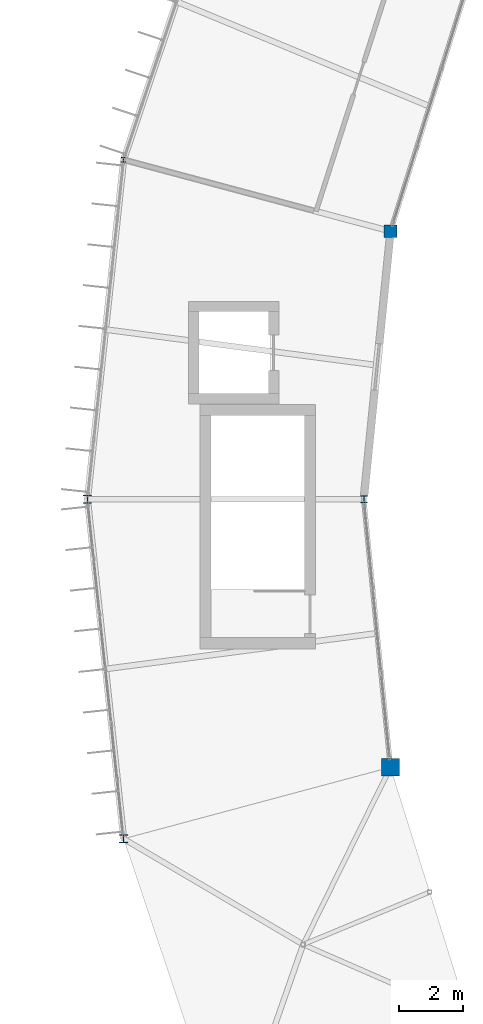
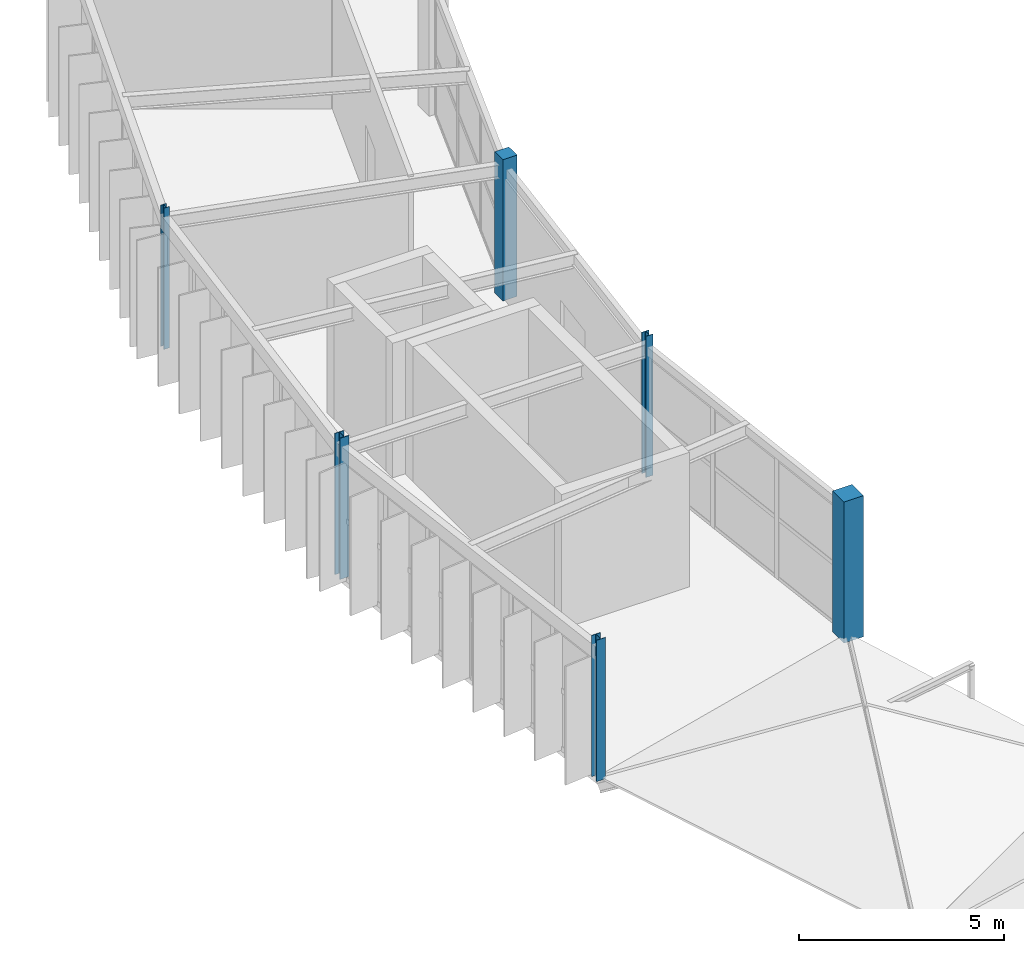
# One storey, part 2 of 106: 6 columns.
"""IFC4 building model written with IfcOpenShell, lengths in metres."""

import ifcopenshell
import ifcopenshell.guid

model = None  # the IFC model being written
_history = None  # IfcOwnerHistory: only IFC2X3 demands one
_inside = {}  # id of a spatial element -> (the spatial element, [elements in it])
_under = {}  # id of a project, library or spatial element -> (it, [spatial elements below it])
_declared = {}  # id of a project -> (the project, [libraries it declares])
_typed = {}  # id of a type object -> (the type object, [elements of that type])
_made_of = {}  # id of a material, layer set ... -> (it, [elements and type objects made of it])


def new_model(schema):
    """Start an empty IFC model of exactly this schema.

    Asked for "IFC4X3", IfcOpenShell would pick the latest addendum, in which some entities
    have other attributes; the version numbers below select the first issue.
    IFC2X3 requires an IfcOwnerHistory on every rooted entity: one is made here for all.
    """
    global model, _history
    if schema == "IFC4X3":
        model = ifcopenshell.file(schema_version=(4, 3, 0, 0))
    else:
        model = ifcopenshell.file(schema=schema)
    _inside.clear()
    _under.clear()
    _declared.clear()
    _typed.clear()
    _made_of.clear()
    _history = None
    if model.schema == "IFC2X3":
        org = make("IfcOrganization", Name="unknown")
        user = make(
            "IfcPersonAndOrganization",
            ThePerson=make("IfcPerson", FamilyName="unknown"),
            TheOrganization=org,
        )
        app = make(
            "IfcApplication",
            ApplicationDeveloper=org,
            Version="unknown",
            ApplicationFullName="unknown",
            ApplicationIdentifier="unknown",
        )
        _history = make(
            "IfcOwnerHistory",
            OwningUser=user,
            OwningApplication=app,
            ChangeAction="ADDED",
            CreationDate=0,
        )
    return model


def make(cls, **values):
    """One entity of the class cls with the attributes given. An attribute that is None is left unset."""
    return model.create_entity(
        cls, **{name: value for name, value in values.items() if value is not None}
    )


def rooted(cls, **values):
    """An entity with a GlobalId (a new one), such as an element, a storey or a relation."""
    return make(cls, GlobalId=ifcopenshell.guid.new(), OwnerHistory=_history, **values)


def si_unit(unit_type, name, prefix=None):
    """IfcSIUnit, for example si_unit("LENGTHUNIT", "METRE", prefix="MILLI")."""
    return make("IfcSIUnit", UnitType=unit_type, Prefix=prefix, Name=name)


def assignment(units):
    """IfcUnitAssignment: the units of a project."""
    return None if units is None else make("IfcUnitAssignment", Units=units)


def point(xyz):
    """IfcCartesianPoint."""
    return None if xyz is None else make("IfcCartesianPoint", Coordinates=xyz)


def direction(xyz):
    """IfcDirection."""
    return None if xyz is None else make("IfcDirection", DirectionRatios=xyz)


def frame(location, z_axis=None, x_axis=None):
    """IfcAxis2Placement3D, a coordinate frame: its origin and axes. An axis left out is left unset."""
    return make(
        "IfcAxis2Placement3D",
        Location=point(location),
        Axis=direction(z_axis),
        RefDirection=direction(x_axis),
    )


def frame_2d(location, x_axis=None):
    """IfcAxis2Placement2D, a coordinate frame in the plane: its origin and x axis."""
    return make(
        "IfcAxis2Placement2D", Location=point(location), RefDirection=direction(x_axis)
    )


def origin():
    """The frame at (0, 0, 0) with its axes left unset."""
    return frame((0.0, 0.0, 0.0))


def origin_2d():
    """The frame at (0, 0) in the plane with its x axis left unset."""
    return frame_2d((0.0, 0.0))


def place(relative_to, where):
    """IfcLocalPlacement: puts the frame where relative to a parent placement (None: the world)."""
    return make(
        "IfcLocalPlacement", PlacementRelTo=relative_to, RelativePlacement=where
    )


def context(
    kind, dimensions, precision=None, world=None, true_north=None, identifier=None
):
    """IfcGeometricRepresentationContext, for example the 3D "Model" context."""
    return make(
        "IfcGeometricRepresentationContext",
        ContextIdentifier=identifier,
        ContextType=kind,
        CoordinateSpaceDimension=dimensions,
        Precision=precision,
        WorldCoordinateSystem=world,
        TrueNorth=true_north,
    )


def subcontext(parent, identifier, kind, view, scale=None):
    """IfcGeometricRepresentationSubContext, for example "Body" below "Model"."""
    return make(
        "IfcGeometricRepresentationSubContext",
        ContextIdentifier=identifier,
        ContextType=kind,
        ParentContext=parent,
        TargetScale=scale,
        TargetView=view,
    )


def project(units=None, contexts=None):
    """IfcProject with its units and contexts."""
    return rooted(
        "IfcProject",
        Name="project",
        RepresentationContexts=contexts,
        UnitsInContext=assignment(units),
    )


def spatial(cls, under=None, at=None, **own):
    """A site, building, storey or space (cls), placed at a placement, below another one or the project."""
    s = rooted(cls, ObjectPlacement=at, **own)
    if under is not None:
        _under.setdefault(under.id(), (under, []))[1].append(s)
    return s


def profile(cls, at=None, kind="AREA", **sizes):
    """A parametric profile (cls). Its sizes go by their IFC names, for example OverallWidth=200.0."""
    return make(cls, ProfileType=kind, Position=at, **sizes)


def rectangle(**sizes):
    """IfcRectangleProfileDef."""
    return profile("IfcRectangleProfileDef", **sizes)


def i_section(**sizes):
    """IfcIShapeProfileDef."""
    return profile("IfcIShapeProfileDef", **sizes)


def extrude(swept, where, along, depth):
    """IfcExtrudedAreaSolid: the profile swept, set in the frame where, extruded along a direction by depth."""
    return make(
        "IfcExtrudedAreaSolid",
        SweptArea=swept,
        Position=where,
        ExtrudedDirection=direction(along),
        Depth=depth,
    )


def shape(context_of_items, identifier, shape_type, items):
    """IfcShapeRepresentation: the items that make up one representation, for example the "Body"."""
    return make(
        "IfcShapeRepresentation",
        ContextOfItems=context_of_items,
        RepresentationIdentifier=identifier,
        RepresentationType=shape_type,
        Items=items,
    )


def material(Name=None, Category=None):
    """IfcMaterial."""
    return make("IfcMaterial", Name=Name, Category=Category)


def material_profile(
    of_material, cross_section, Name=None, Category=None, Priority=None
):
    """IfcMaterialProfile: a cross section and its material."""
    return make(
        "IfcMaterialProfile",
        Name=Name,
        Material=of_material,
        Profile=cross_section,
        Priority=Priority,
        Category=Category,
    )


def profile_set(profiles, Name=None, composite=None):
    """IfcMaterialProfileSet."""
    return make(
        "IfcMaterialProfileSet",
        Name=Name,
        MaterialProfiles=profiles,
        CompositeProfile=composite,
    )


def made_of(thing, what):
    """Note that an element or type object is made of a material, layer set ...; save() writes the relation."""
    if what is not None:
        _made_of.setdefault(what.id(), (what, []))[1].append(thing)
    return thing


def type_object(cls, material=None, **own):
    """A type object (cls), such as IfcWallType, which elements share."""
    return made_of(rooted(cls, **own), material)


def element(
    cls,
    number,
    at=None,
    inside=None,
    cuts=None,
    type_object=None,
    material=None,
    context=None,
    identifier="Body",
    shape_type=None,
    held_by="IfcProductDefinitionShape",
    body=None,
    shapes=None,
    **own,
):
    """One element of the class cls, such as IfcWall. Its Tag is "e" and its number.

    at: its placement. inside: the storey or other place that contains it. cuts: it is an
    opening in that element (IfcRelVoidsElement). A single representation is given by context,
    identifier, shape_type and body (its items); several are given by shapes. held_by: the class
    of the entity that holds the representations. save() writes the other relations.
    """
    e = rooted(cls, Tag="e%d" % number, ObjectPlacement=at, **own)
    if body is not None:
        shapes = [shape(context, identifier, shape_type, body)]
    if shapes is not None:
        e.Representation = make(held_by, Representations=shapes)
    if inside is not None:
        _inside.setdefault(inside.id(), (inside, []))[1].append(e)
    if cuts is not None:
        rooted(
            "IfcRelVoidsElement", RelatingBuildingElement=cuts, RelatedOpeningElement=e
        )
    if type_object is not None:
        _typed.setdefault(type_object.id(), (type_object, []))[1].append(e)
    return made_of(e, material)


def aggregate(whole, parts):
    """IfcRelAggregates: a whole, such as a stair, and the parts it consists of."""
    return rooted("IfcRelAggregates", RelatingObject=whole, RelatedObjects=parts)


def save(model, path):
    """Write the relations noted so far, then the file.

    IfcRelAggregates (storeys below a building ...), IfcRelContainedInSpatialStructure (elements
    in a storey), IfcRelDefinesByType, IfcRelAssociatesMaterial and IfcRelDeclares: one each for
    every whole, place, type object, material and project.
    """
    for whole, parts in _under.values():
        aggregate(whole, parts)
    for where, things in _inside.values():
        rooted(
            "IfcRelContainedInSpatialStructure",
            RelatedElements=things,
            RelatingStructure=where,
        )
    for kind, things in _typed.values():
        rooted("IfcRelDefinesByType", RelatedObjects=things, RelatingType=kind)
    for what, things in _made_of.values():
        rooted("IfcRelAssociatesMaterial", RelatedObjects=things, RelatingMaterial=what)
    for by, libraries in _declared.values():
        rooted("IfcRelDeclares", RelatingContext=by, RelatedDefinitions=libraries)
    model.write(path)


model = new_model("IFC4")

# Units and contexts
model_context = context("Model", 3, precision=1e-05, world=origin(), true_north=direction((0.0, 1.0)))
body_context = subcontext(model_context, "Body", "Model", "MODEL_VIEW")
ifc_project = project(units=[si_unit("LENGTHUNIT", "METRE"), si_unit("AREAUNIT", "SQUARE_METRE"), si_unit("VOLUMEUNIT", "CUBIC_METRE"), si_unit("PLANEANGLEUNIT", "RADIAN"), si_unit("MASSUNIT", "GRAM", prefix="KILO")], contexts=[model_context])

# Site, building, storey
site_placement = place(None, origin())
site = spatial("IfcSite", under=ifc_project, at=site_placement, CompositionType="ELEMENT")
building_placement = place(site_placement, origin())
building = spatial("IfcBuilding", under=site, at=building_placement, Name="Karori Crest Natural Sciences Institute", CompositionType="ELEMENT")
storey_placement = place(building_placement, frame((0.0, 0.0, 25.89990234375)))
storey = spatial("IfcBuildingStorey", under=building, at=storey_placement, Name="L06", CompositionType="ELEMENT", Elevation=25.89990234375)

# Columns
ifc_material_1 = material(Name="Structural steel AS/NZS 3679.1 Grade 350", Category="steel")
ifc_material_profile_1 = material_profile(ifc_material_1, i_section(OverallWidth=0.256103515625, OverallDepth=0.260009765625, WebThickness=0.010498046875, FlangeThickness=0.017333984375, FilletRadius=0.013916015625, at=origin_2d()), Name="250UC89.5")
ifc_profile_set_1 = profile_set([ifc_material_profile_1], Name="Structural steel AS/NZS 3679.1 Grade 350")
column_type_1 = type_object("IfcColumnType", Name="CT-06", PredefinedType="COLUMN", material=ifc_profile_set_1)
column_1_placement = place(storey_placement, frame((33.39990234375, 49.89990234375, 0.0), z_axis=(0.0, 0.0, 1.0), x_axis=(1.0, 0.0, 0.0)))
element("IfcColumn", 1, at=column_1_placement, inside=storey, type_object=column_type_1, Name="Column C-0219", PredefinedType="COLUMN", context=body_context, shape_type="SweptSolid", body=[
    extrude(i_section(OverallWidth=0.256103515625, OverallDepth=0.260009765625, WebThickness=0.010498046875, FlangeThickness=0.017333984375, FilletRadius=0.013916015625, at=origin_2d()), origin(), (0.0, 0.0, 1.0), 4.2001953125),
])
ifc_material_profile_2 = material_profile(ifc_material_1, i_section(OverallWidth=0.25390625, OverallDepth=0.25390625, WebThickness=0.008544921875, FlangeThickness=0.01416015625, FilletRadius=0.013916015625, at=origin_2d()), Name="250UC72.9")
ifc_profile_set_2 = profile_set([ifc_material_profile_2], Name="Structural steel AS/NZS 3679.1 Grade 350")
column_type_2 = type_object("IfcColumnType", Name="CT-07", PredefinedType="COLUMN", material=ifc_profile_set_2)
column_2_placement = place(storey_placement, frame((34.5244140625, 39.340087890625, 0.0), z_axis=(0.0, 0.0, 1.0), x_axis=(1.0, 0.0, 0.0)))
element("IfcColumn", 2, at=column_2_placement, inside=storey, type_object=column_type_2, Name="Column C-0235", PredefinedType="COLUMN", context=body_context, shape_type="SweptSolid", body=[
    extrude(i_section(OverallWidth=0.25390625, OverallDepth=0.25390625, WebThickness=0.008544921875, FlangeThickness=0.01416015625, FilletRadius=0.013916015625, at=origin_2d()), origin(), (0.0, 0.0, 1.0), 4.2001953125),
])
ifc_material_profile_3 = material_profile(ifc_material_1, i_section(OverallWidth=0.205078125, OverallDepth=0.2099609375, WebThickness=0.00927734375, FlangeThickness=0.01416015625, FilletRadius=0.010986328125, at=origin_2d()), Name="200UC59.5")
ifc_profile_set_3 = profile_set([ifc_material_profile_3], Name="Structural steel AS/NZS 3679.1 Grade 350")
column_type_3 = type_object("IfcColumnType", Name="CT-08", PredefinedType="COLUMN", material=ifc_profile_set_3)
column_3_placement = place(storey_placement, frame((42.0, 49.89990234375, 0.0), z_axis=(0.0, 0.0, 1.0), x_axis=(1.0, 0.0, 0.0)))
element("IfcColumn", 3, at=column_3_placement, inside=storey, type_object=column_type_3, Name="Column C-0220", PredefinedType="COLUMN", context=body_context, shape_type="SweptSolid", body=[
    extrude(i_section(OverallWidth=0.205078125, OverallDepth=0.2099609375, WebThickness=0.00927734375, FlangeThickness=0.01416015625, FilletRadius=0.010986328125, at=origin_2d()), origin(), (0.0, 0.0, 1.0), 4.2001953125),
])
ifc_material_profile_4 = material_profile(ifc_material_1, i_section(OverallWidth=0.154052734375, OverallDepth=0.162109375, WebThickness=0.008056640625, FlangeThickness=0.011474609375, FilletRadius=0.009033203125, at=origin_2d()), Name="150UC37.2")
ifc_profile_set_4 = profile_set([ifc_material_profile_4], Name="Structural steel AS/NZS 3679.1 Grade 350")
column_type_4 = type_object("IfcColumnType", Name="CT-26", PredefinedType="COLUMN", material=ifc_profile_set_4)
column_4_placement = place(storey_placement, frame((34.5244140625, 60.459716796875, 0.0), z_axis=(0.0, 0.0, 1.0), x_axis=(1.0, 0.0, 0.0)))
element("IfcColumn", 4, at=column_4_placement, inside=storey, type_object=column_type_4, Name="Column C-0203", PredefinedType="COLUMN", context=body_context, shape_type="SweptSolid", body=[
    extrude(i_section(OverallWidth=0.154052734375, OverallDepth=0.162109375, WebThickness=0.008056640625, FlangeThickness=0.011474609375, FilletRadius=0.009033203125, at=origin_2d()), origin(), (0.0, 0.0, 1.0), 4.2001953125),
])
ifc_material_2 = material(Name="Concrete 50 MPa", Category="concrete")
ifc_material_profile_5 = material_profile(ifc_material_2, rectangle(XDim=0.550048828125, YDim=0.550048828125, at=origin_2d()), Name="RC550x550")
ifc_profile_set_5 = profile_set([ifc_material_profile_5], Name="Concrete 50 MPa")
column_type_5 = type_object("IfcColumnType", Name="CT-30", PredefinedType="COLUMN", material=ifc_profile_set_5)
column_5_placement = place(storey_placement, frame((42.831298828125, 41.56591796875, 0.0), z_axis=(0.0, 0.0, 1.0), x_axis=(1.0, 0.0, 0.0)))
element("IfcColumn", 5, at=column_5_placement, inside=storey, type_object=column_type_5, Name="Column C-0236", PredefinedType="COLUMN", context=body_context, shape_type="SweptSolid", body=[
    extrude(rectangle(XDim=0.550048828125, YDim=0.550048828125, at=origin_2d()), origin(), (0.0, 0.0, 1.0), 4.2001953125),
])
ifc_material_profile_6 = material_profile(ifc_material_2, rectangle(XDim=0.39990234375, YDim=0.39990234375, at=origin_2d()), Name="RC400x400")
ifc_profile_set_6 = profile_set([ifc_material_profile_6], Name="Concrete 50 MPa")
column_type_6 = type_object("IfcColumnType", Name="CT-31", PredefinedType="PILASTER", material=ifc_profile_set_6)
column_6_placement = place(storey_placement, frame((42.831298828125, 58.23388671875, 0.0), z_axis=(0.0, 0.0, 1.0), x_axis=(1.0, 0.0, 0.0)))
element("IfcColumn", 6, at=column_6_placement, inside=storey, type_object=column_type_6, Name="Column C-0204", PredefinedType="PILASTER", context=body_context, shape_type="SweptSolid", body=[
    extrude(rectangle(XDim=0.39990234375, YDim=0.39990234375, at=origin_2d()), origin(), (0.0, 0.0, 1.0), 4.2001953125),
])

save(model, "model.ifc")
